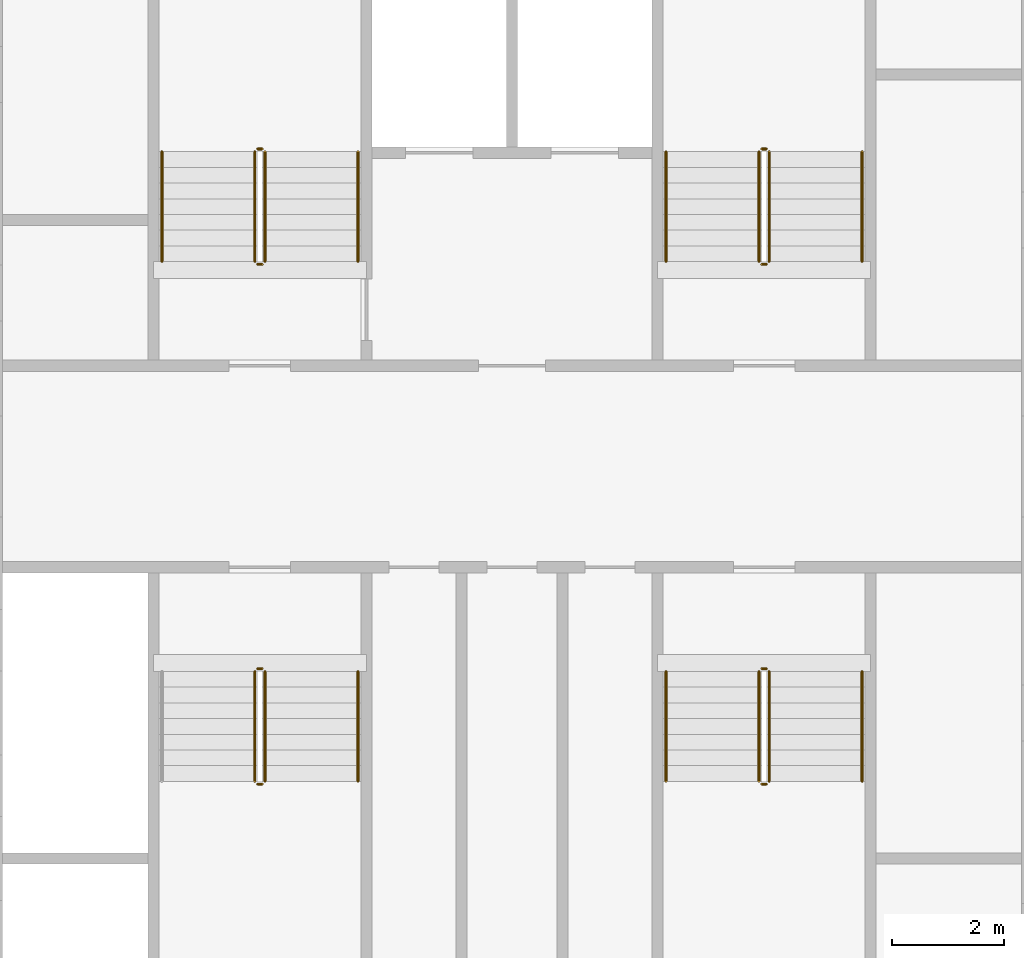
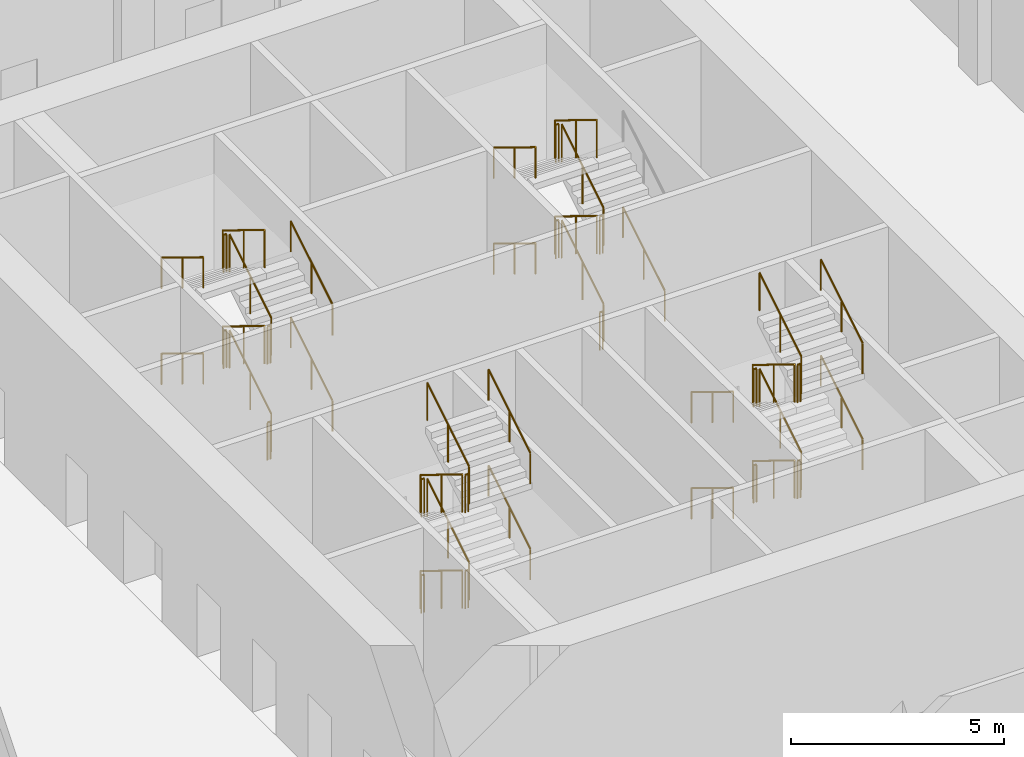
# One storey, part 21 of 23: 45 railings.
"""IFC4 building model written with IfcOpenShell, lengths in metres."""

from ifc_helpers import new_model, si_unit, direction, frame, origin, origin_2d, place, context, subcontext, project, spatial, circle, extrude, material, type_object, element, save


model = new_model("IFC4")

# Units and contexts
model_context = context("Model", 3, precision=1e-05, world=origin(), true_north=direction((0.0, 1.0)))
body_context = subcontext(model_context, "Body", "Model", "MODEL_VIEW")
ifc_project = project(units=[si_unit("LENGTHUNIT", "METRE"), si_unit("AREAUNIT", "SQUARE_METRE"), si_unit("VOLUMEUNIT", "CUBIC_METRE"), si_unit("PLANEANGLEUNIT", "RADIAN"), si_unit("MASSUNIT", "GRAM", prefix="KILO")], contexts=[model_context])

# Site, building, storey
site_placement = place(None, origin())
site = spatial("IfcSite", under=ifc_project, at=site_placement, CompositionType="ELEMENT")
building_placement = place(site_placement, origin())
building = spatial("IfcBuilding", under=site, at=building_placement, Name="Tarsis Ring Headquarters", CompositionType="ELEMENT")
storey_placement = place(building_placement, frame((0.0, 0.0, 14.0)))
storey = spatial("IfcBuildingStorey", under=building, at=storey_placement, Name="L02", CompositionType="ELEMENT", Elevation=14.0)

# Railings
ifc_material = material(Name="Steel S355", Category="steel")
railing_type_1 = type_object("IfcRailingType", Name="Core stair guard 1100", PredefinedType="GUARDRAIL", material=ifc_material)
railing_1_placement = place(storey_placement, frame((-4.409912109375, 3.659912109375, 0.171875)))
element("IfcRailing", 1, at=railing_1_placement, inside=storey, type_object=railing_type_1, Name="L02 ST1 stair guard 1", PredefinedType="GUARDRAIL", context=body_context, shape_type="SweptSolid", body=[
    extrude(circle(Radius=0.02392578125, at=origin_2d()), frame((0.0, 0.0, 1.076171875), z_axis=(0.0, 0.852270028233, 0.523102092307), x_axis=(-1.0, 0.0, 0.0)), (0.0, 0.0, 1.0), 2.300048828125),
    extrude(circle(Radius=0.02099609375, at=origin_2d()), origin(), (0.0, 0.0, 1.0), 1.052001953125),
    extrude(circle(Radius=0.02099609375, at=origin_2d()), frame((0.0, 0.97998046875, 0.6015625)), (0.0, 0.0, 1.0), 1.052001953125),
    extrude(circle(Radius=0.02099609375, at=origin_2d()), frame((0.0, 1.960205078125, 1.203125)), (0.0, 0.0, 1.0), 1.052001953125),
])
railing_2_placement = place(storey_placement, frame((-4.4599609375, 5.669921875, 1.375)))
element("IfcRailing", 2, at=railing_2_placement, inside=storey, type_object=railing_type_1, Name="L02 ST1 stair guard 2", PredefinedType="GUARDRAIL", context=body_context, shape_type="SweptSolid", body=[
    extrude(circle(Radius=0.02392578125, at=origin_2d()), frame((0.0, 0.0, 1.076171875), z_axis=(-1.0, 0.0, 0.0), x_axis=(0.0, -1.0, 0.0)), (0.0, 0.0, 1.0), 0.080078125),
    extrude(circle(Radius=0.02099609375, at=origin_2d()), origin(), (0.0, 0.0, 1.0), 1.052001953125),
    extrude(circle(Radius=0.02099609375, at=origin_2d()), frame((-0.080078125, 0.0, 0.0)), (0.0, 0.0, 1.0), 1.052001953125),
])
railing_3_placement = place(storey_placement, frame((-4.590087890625, 5.6201171875, 1.546875)))
element("IfcRailing", 3, at=railing_3_placement, inside=storey, type_object=railing_type_1, Name="L02 ST1 stair guard 3", PredefinedType="GUARDRAIL", context=body_context, shape_type="SweptSolid", body=[
    extrude(circle(Radius=0.02392578125, at=origin_2d()), frame((0.0, 0.0, 1.076171875), z_axis=(0.0, -0.852270028233, 0.523102092307), x_axis=(1.0, 0.0, 0.0)), (0.0, 0.0, 1.0), 2.300048828125),
    extrude(circle(Radius=0.02099609375, at=origin_2d()), origin(), (0.0, 0.0, 1.0), 1.052001953125),
    extrude(circle(Radius=0.02099609375, at=origin_2d()), frame((0.0, -0.97998046875, 0.6015625)), (0.0, 0.0, 1.0), 1.052001953125),
    extrude(circle(Radius=0.02099609375, at=origin_2d()), frame((0.0, -1.960205078125, 1.203125)), (0.0, 0.0, 1.0), 1.052001953125),
])
railing_4_placement = place(storey_placement, frame((-4.4599609375, 3.610107421875, 2.75)))
element("IfcRailing", 4, at=railing_4_placement, inside=storey, type_object=railing_type_1, Name="L02 ST1 stair guard 4", PredefinedType="GUARDRAIL", context=body_context, shape_type="SweptSolid", body=[
    extrude(circle(Radius=0.02392578125, at=origin_2d()), frame((0.0, 0.0, 1.076171875), z_axis=(-1.0, 0.0, 0.0), x_axis=(0.0, -1.0, 0.0)), (0.0, 0.0, 1.0), 0.080078125),
    extrude(circle(Radius=0.02099609375, at=origin_2d()), origin(), (0.0, 0.0, 1.0), 1.052001953125),
    extrude(circle(Radius=0.02099609375, at=origin_2d()), frame((-0.080078125, 0.0, 0.0)), (0.0, 0.0, 1.0), 1.052001953125),
])
railing_5_placement = place(storey_placement, frame((-4.409912109375, 3.659912109375, 2.921875)))
element("IfcRailing", 5, at=railing_5_placement, inside=storey, type_object=railing_type_1, Name="L02 ST1 stair guard 5", PredefinedType="GUARDRAIL", context=body_context, shape_type="SweptSolid", body=[
    extrude(circle(Radius=0.02392578125, at=origin_2d()), frame((0.0, 0.0, 1.076171875), z_axis=(0.0, 0.852270028233, 0.523102092307), x_axis=(-1.0, 0.0, 0.0)), (0.0, 0.0, 1.0), 2.300048828125),
    extrude(circle(Radius=0.02099609375, at=origin_2d()), origin(), (0.0, 0.0, 1.0), 1.052001953125),
    extrude(circle(Radius=0.02099609375, at=origin_2d()), frame((0.0, 0.97998046875, 0.6015625)), (0.0, 0.0, 1.0), 1.052001953125),
    extrude(circle(Radius=0.02099609375, at=origin_2d()), frame((0.0, 1.960205078125, 1.203125)), (0.0, 0.0, 1.0), 1.052001953125),
])
railing_6_placement = place(storey_placement, frame((-4.4599609375, 5.669921875, 4.125)))
element("IfcRailing", 6, at=railing_6_placement, inside=storey, type_object=railing_type_1, Name="L02 ST1 stair guard 6", PredefinedType="GUARDRAIL", context=body_context, shape_type="SweptSolid", body=[
    extrude(circle(Radius=0.02392578125, at=origin_2d()), frame((0.0, 0.0, 1.076171875), z_axis=(-1.0, 0.0, 0.0), x_axis=(0.0, -1.0, 0.0)), (0.0, 0.0, 1.0), 0.080078125),
    extrude(circle(Radius=0.02099609375, at=origin_2d()), origin(), (0.0, 0.0, 1.0), 1.052001953125),
    extrude(circle(Radius=0.02099609375, at=origin_2d()), frame((-0.080078125, 0.0, 0.0)), (0.0, 0.0, 1.0), 1.052001953125),
])
railing_7_placement = place(storey_placement, frame((-4.590087890625, 5.6201171875, 4.296875)))
element("IfcRailing", 7, at=railing_7_placement, inside=storey, type_object=railing_type_1, Name="L02 ST1 stair guard 7", PredefinedType="GUARDRAIL", context=body_context, shape_type="SweptSolid", body=[
    extrude(circle(Radius=0.02392578125, at=origin_2d()), frame((0.0, 0.0, 1.076171875), z_axis=(0.0, -0.852270028233, 0.523102092307), x_axis=(1.0, 0.0, 0.0)), (0.0, 0.0, 1.0), 2.300048828125),
    extrude(circle(Radius=0.02099609375, at=origin_2d()), origin(), (0.0, 0.0, 1.0), 1.052001953125),
    extrude(circle(Radius=0.02099609375, at=origin_2d()), frame((0.0, -0.97998046875, 0.6015625)), (0.0, 0.0, 1.0), 1.052001953125),
    extrude(circle(Radius=0.02099609375, at=origin_2d()), frame((0.0, -1.960205078125, 1.203125)), (0.0, 0.0, 1.0), 1.052001953125),
])
railing_8_placement = place(storey_placement, frame((-4.4599609375, 3.610107421875, 0.0)))
element("IfcRailing", 8, at=railing_8_placement, inside=storey, type_object=railing_type_1, Name="L02 ST1 stair guard 8", PredefinedType="GUARDRAIL", context=body_context, shape_type="SweptSolid", body=[
    extrude(circle(Radius=0.02392578125, at=origin_2d()), frame((0.0, 0.0, 1.076171875), z_axis=(-1.0, 0.0, 0.0), x_axis=(0.0, -1.0, 0.0)), (0.0, 0.0, 1.0), 0.080078125),
    extrude(circle(Radius=0.02099609375, at=origin_2d()), origin(), (0.0, 0.0, 1.0), 1.052001953125),
    extrude(circle(Radius=0.02099609375, at=origin_2d()), frame((-0.080078125, 0.0, 0.0)), (0.0, 0.0, 1.0), 1.052001953125),
])
railing_9_placement = place(storey_placement, frame((4.590087890625, 3.659912109375, 0.171875)))
element("IfcRailing", 9, at=railing_9_placement, inside=storey, type_object=railing_type_1, Name="L02 ST2 stair guard 1", PredefinedType="GUARDRAIL", context=body_context, shape_type="SweptSolid", body=[
    extrude(circle(Radius=0.02392578125, at=origin_2d()), frame((0.0, 0.0, 1.076171875), z_axis=(0.0, 0.852270028233, 0.523102092307), x_axis=(-1.0, 0.0, 0.0)), (0.0, 0.0, 1.0), 2.300048828125),
    extrude(circle(Radius=0.02099609375, at=origin_2d()), origin(), (0.0, 0.0, 1.0), 1.052001953125),
    extrude(circle(Radius=0.02099609375, at=origin_2d()), frame((0.0, 0.97998046875, 0.6015625)), (0.0, 0.0, 1.0), 1.052001953125),
    extrude(circle(Radius=0.02099609375, at=origin_2d()), frame((0.0, 1.960205078125, 1.203125)), (0.0, 0.0, 1.0), 1.052001953125),
])
railing_10_placement = place(storey_placement, frame((4.5400390625, 5.669921875, 1.375)))
element("IfcRailing", 10, at=railing_10_placement, inside=storey, type_object=railing_type_1, Name="L02 ST2 stair guard 2", PredefinedType="GUARDRAIL", context=body_context, shape_type="SweptSolid", body=[
    extrude(circle(Radius=0.02392578125, at=origin_2d()), frame((0.0, 0.0, 1.076171875), z_axis=(-1.0, 0.0, 0.0), x_axis=(0.0, -1.0, 0.0)), (0.0, 0.0, 1.0), 0.080078125),
    extrude(circle(Radius=0.02099609375, at=origin_2d()), origin(), (0.0, 0.0, 1.0), 1.052001953125),
    extrude(circle(Radius=0.02099609375, at=origin_2d()), frame((-0.080078125, 0.0, 0.0)), (0.0, 0.0, 1.0), 1.052001953125),
])
railing_11_placement = place(storey_placement, frame((4.409912109375, 5.6201171875, 1.546875)))
element("IfcRailing", 11, at=railing_11_placement, inside=storey, type_object=railing_type_1, Name="L02 ST2 stair guard 3", PredefinedType="GUARDRAIL", context=body_context, shape_type="SweptSolid", body=[
    extrude(circle(Radius=0.02392578125, at=origin_2d()), frame((0.0, 0.0, 1.076171875), z_axis=(0.0, -0.852270028233, 0.523102092307), x_axis=(1.0, 0.0, 0.0)), (0.0, 0.0, 1.0), 2.300048828125),
    extrude(circle(Radius=0.02099609375, at=origin_2d()), origin(), (0.0, 0.0, 1.0), 1.052001953125),
    extrude(circle(Radius=0.02099609375, at=origin_2d()), frame((0.0, -0.97998046875, 0.6015625)), (0.0, 0.0, 1.0), 1.052001953125),
    extrude(circle(Radius=0.02099609375, at=origin_2d()), frame((0.0, -1.960205078125, 1.203125)), (0.0, 0.0, 1.0), 1.052001953125),
])
railing_12_placement = place(storey_placement, frame((4.5400390625, 3.610107421875, 2.75)))
element("IfcRailing", 12, at=railing_12_placement, inside=storey, type_object=railing_type_1, Name="L02 ST2 stair guard 4", PredefinedType="GUARDRAIL", context=body_context, shape_type="SweptSolid", body=[
    extrude(circle(Radius=0.02392578125, at=origin_2d()), frame((0.0, 0.0, 1.076171875), z_axis=(-1.0, 0.0, 0.0), x_axis=(0.0, -1.0, 0.0)), (0.0, 0.0, 1.0), 0.080078125),
    extrude(circle(Radius=0.02099609375, at=origin_2d()), origin(), (0.0, 0.0, 1.0), 1.052001953125),
    extrude(circle(Radius=0.02099609375, at=origin_2d()), frame((-0.080078125, 0.0, 0.0)), (0.0, 0.0, 1.0), 1.052001953125),
])
railing_13_placement = place(storey_placement, frame((4.590087890625, 3.659912109375, 2.921875)))
element("IfcRailing", 13, at=railing_13_placement, inside=storey, type_object=railing_type_1, Name="L02 ST2 stair guard 5", PredefinedType="GUARDRAIL", context=body_context, shape_type="SweptSolid", body=[
    extrude(circle(Radius=0.02392578125, at=origin_2d()), frame((0.0, 0.0, 1.076171875), z_axis=(0.0, 0.852270028233, 0.523102092307), x_axis=(-1.0, 0.0, 0.0)), (0.0, 0.0, 1.0), 2.300048828125),
    extrude(circle(Radius=0.02099609375, at=origin_2d()), origin(), (0.0, 0.0, 1.0), 1.052001953125),
    extrude(circle(Radius=0.02099609375, at=origin_2d()), frame((0.0, 0.97998046875, 0.6015625)), (0.0, 0.0, 1.0), 1.052001953125),
    extrude(circle(Radius=0.02099609375, at=origin_2d()), frame((0.0, 1.960205078125, 1.203125)), (0.0, 0.0, 1.0), 1.052001953125),
])
railing_14_placement = place(storey_placement, frame((4.5400390625, 5.669921875, 4.125)))
element("IfcRailing", 14, at=railing_14_placement, inside=storey, type_object=railing_type_1, Name="L02 ST2 stair guard 6", PredefinedType="GUARDRAIL", context=body_context, shape_type="SweptSolid", body=[
    extrude(circle(Radius=0.02392578125, at=origin_2d()), frame((0.0, 0.0, 1.076171875), z_axis=(-1.0, 0.0, 0.0), x_axis=(0.0, -1.0, 0.0)), (0.0, 0.0, 1.0), 0.080078125),
    extrude(circle(Radius=0.02099609375, at=origin_2d()), origin(), (0.0, 0.0, 1.0), 1.052001953125),
    extrude(circle(Radius=0.02099609375, at=origin_2d()), frame((-0.080078125, 0.0, 0.0)), (0.0, 0.0, 1.0), 1.052001953125),
])
railing_15_placement = place(storey_placement, frame((4.409912109375, 5.6201171875, 4.296875)))
element("IfcRailing", 15, at=railing_15_placement, inside=storey, type_object=railing_type_1, Name="L02 ST2 stair guard 7", PredefinedType="GUARDRAIL", context=body_context, shape_type="SweptSolid", body=[
    extrude(circle(Radius=0.02392578125, at=origin_2d()), frame((0.0, 0.0, 1.076171875), z_axis=(0.0, -0.852270028233, 0.523102092307), x_axis=(1.0, 0.0, 0.0)), (0.0, 0.0, 1.0), 2.300048828125),
    extrude(circle(Radius=0.02099609375, at=origin_2d()), origin(), (0.0, 0.0, 1.0), 1.052001953125),
    extrude(circle(Radius=0.02099609375, at=origin_2d()), frame((0.0, -0.97998046875, 0.6015625)), (0.0, 0.0, 1.0), 1.052001953125),
    extrude(circle(Radius=0.02099609375, at=origin_2d()), frame((0.0, -1.960205078125, 1.203125)), (0.0, 0.0, 1.0), 1.052001953125),
])
railing_16_placement = place(storey_placement, frame((4.5400390625, 3.610107421875, 0.0)))
element("IfcRailing", 16, at=railing_16_placement, inside=storey, type_object=railing_type_1, Name="L02 ST2 stair guard 8", PredefinedType="GUARDRAIL", context=body_context, shape_type="SweptSolid", body=[
    extrude(circle(Radius=0.02392578125, at=origin_2d()), frame((0.0, 0.0, 1.076171875), z_axis=(-1.0, 0.0, 0.0), x_axis=(0.0, -1.0, 0.0)), (0.0, 0.0, 1.0), 0.080078125),
    extrude(circle(Radius=0.02099609375, at=origin_2d()), origin(), (0.0, 0.0, 1.0), 1.052001953125),
    extrude(circle(Radius=0.02099609375, at=origin_2d()), frame((-0.080078125, 0.0, 0.0)), (0.0, 0.0, 1.0), 1.052001953125),
])
railing_17_placement = place(storey_placement, frame((-4.590087890625, -3.659912109375, 0.171875)))
element("IfcRailing", 17, at=railing_17_placement, inside=storey, type_object=railing_type_1, Name="L02 ST3 stair guard 1", PredefinedType="GUARDRAIL", context=body_context, shape_type="SweptSolid", body=[
    extrude(circle(Radius=0.02392578125, at=origin_2d()), frame((0.0, 0.0, 1.076171875), z_axis=(0.0, -0.852270028233, 0.523102092307), x_axis=(1.0, 0.0, 0.0)), (0.0, 0.0, 1.0), 2.300048828125),
    extrude(circle(Radius=0.02099609375, at=origin_2d()), origin(), (0.0, 0.0, 1.0), 1.052001953125),
    extrude(circle(Radius=0.02099609375, at=origin_2d()), frame((0.0, -0.97998046875, 0.6015625)), (0.0, 0.0, 1.0), 1.052001953125),
    extrude(circle(Radius=0.02099609375, at=origin_2d()), frame((0.0, -1.960205078125, 1.203125)), (0.0, 0.0, 1.0), 1.052001953125),
])
railing_18_placement = place(storey_placement, frame((-4.5400390625, -5.669921875, 1.375)))
element("IfcRailing", 18, at=railing_18_placement, inside=storey, type_object=railing_type_1, Name="L02 ST3 stair guard 2", PredefinedType="GUARDRAIL", context=body_context, shape_type="SweptSolid", body=[
    extrude(circle(Radius=0.02392578125, at=origin_2d()), frame((0.0, 0.0, 1.076171875), z_axis=(1.0, 0.0, 0.0), x_axis=(0.0, 1.0, 0.0)), (0.0, 0.0, 1.0), 0.080078125),
    extrude(circle(Radius=0.02099609375, at=origin_2d()), origin(), (0.0, 0.0, 1.0), 1.052001953125),
    extrude(circle(Radius=0.02099609375, at=origin_2d()), frame((0.080078125, 0.0, 0.0)), (0.0, 0.0, 1.0), 1.052001953125),
])
railing_19_placement = place(storey_placement, frame((-4.409912109375, -5.6201171875, 1.546875)))
element("IfcRailing", 19, at=railing_19_placement, inside=storey, type_object=railing_type_1, Name="L02 ST3 stair guard 3", PredefinedType="GUARDRAIL", context=body_context, shape_type="SweptSolid", body=[
    extrude(circle(Radius=0.02392578125, at=origin_2d()), frame((0.0, 0.0, 1.076171875), z_axis=(0.0, 0.852270028233, 0.523102092307), x_axis=(-1.0, 0.0, 0.0)), (0.0, 0.0, 1.0), 2.300048828125),
    extrude(circle(Radius=0.02099609375, at=origin_2d()), origin(), (0.0, 0.0, 1.0), 1.052001953125),
    extrude(circle(Radius=0.02099609375, at=origin_2d()), frame((0.0, 0.97998046875, 0.6015625)), (0.0, 0.0, 1.0), 1.052001953125),
    extrude(circle(Radius=0.02099609375, at=origin_2d()), frame((0.0, 1.960205078125, 1.203125)), (0.0, 0.0, 1.0), 1.052001953125),
])
railing_20_placement = place(storey_placement, frame((-4.5400390625, -3.610107421875, 2.75)))
element("IfcRailing", 20, at=railing_20_placement, inside=storey, type_object=railing_type_1, Name="L02 ST3 stair guard 4", PredefinedType="GUARDRAIL", context=body_context, shape_type="SweptSolid", body=[
    extrude(circle(Radius=0.02392578125, at=origin_2d()), frame((0.0, 0.0, 1.076171875), z_axis=(1.0, 0.0, 0.0), x_axis=(0.0, 1.0, 0.0)), (0.0, 0.0, 1.0), 0.080078125),
    extrude(circle(Radius=0.02099609375, at=origin_2d()), origin(), (0.0, 0.0, 1.0), 1.052001953125),
    extrude(circle(Radius=0.02099609375, at=origin_2d()), frame((0.080078125, 0.0, 0.0)), (0.0, 0.0, 1.0), 1.052001953125),
])
railing_21_placement = place(storey_placement, frame((-4.590087890625, -3.659912109375, 2.921875)))
element("IfcRailing", 21, at=railing_21_placement, inside=storey, type_object=railing_type_1, Name="L02 ST3 stair guard 5", PredefinedType="GUARDRAIL", context=body_context, shape_type="SweptSolid", body=[
    extrude(circle(Radius=0.02392578125, at=origin_2d()), frame((0.0, 0.0, 1.076171875), z_axis=(0.0, -0.852270028233, 0.523102092307), x_axis=(1.0, 0.0, 0.0)), (0.0, 0.0, 1.0), 2.300048828125),
    extrude(circle(Radius=0.02099609375, at=origin_2d()), origin(), (0.0, 0.0, 1.0), 1.052001953125),
    extrude(circle(Radius=0.02099609375, at=origin_2d()), frame((0.0, -0.97998046875, 0.6015625)), (0.0, 0.0, 1.0), 1.052001953125),
    extrude(circle(Radius=0.02099609375, at=origin_2d()), frame((0.0, -1.960205078125, 1.203125)), (0.0, 0.0, 1.0), 1.052001953125),
])
railing_22_placement = place(storey_placement, frame((-4.5400390625, -5.669921875, 4.125)))
element("IfcRailing", 22, at=railing_22_placement, inside=storey, type_object=railing_type_1, Name="L02 ST3 stair guard 6", PredefinedType="GUARDRAIL", context=body_context, shape_type="SweptSolid", body=[
    extrude(circle(Radius=0.02392578125, at=origin_2d()), frame((0.0, 0.0, 1.076171875), z_axis=(1.0, 0.0, 0.0), x_axis=(0.0, 1.0, 0.0)), (0.0, 0.0, 1.0), 0.080078125),
    extrude(circle(Radius=0.02099609375, at=origin_2d()), origin(), (0.0, 0.0, 1.0), 1.052001953125),
    extrude(circle(Radius=0.02099609375, at=origin_2d()), frame((0.080078125, 0.0, 0.0)), (0.0, 0.0, 1.0), 1.052001953125),
])
railing_23_placement = place(storey_placement, frame((-4.409912109375, -5.6201171875, 4.296875)))
element("IfcRailing", 23, at=railing_23_placement, inside=storey, type_object=railing_type_1, Name="L02 ST3 stair guard 7", PredefinedType="GUARDRAIL", context=body_context, shape_type="SweptSolid", body=[
    extrude(circle(Radius=0.02392578125, at=origin_2d()), frame((0.0, 0.0, 1.076171875), z_axis=(0.0, 0.852270028233, 0.523102092307), x_axis=(-1.0, 0.0, 0.0)), (0.0, 0.0, 1.0), 2.300048828125),
    extrude(circle(Radius=0.02099609375, at=origin_2d()), origin(), (0.0, 0.0, 1.0), 1.052001953125),
    extrude(circle(Radius=0.02099609375, at=origin_2d()), frame((0.0, 0.97998046875, 0.6015625)), (0.0, 0.0, 1.0), 1.052001953125),
    extrude(circle(Radius=0.02099609375, at=origin_2d()), frame((0.0, 1.960205078125, 1.203125)), (0.0, 0.0, 1.0), 1.052001953125),
])
railing_24_placement = place(storey_placement, frame((-4.5400390625, -3.610107421875, 0.0)))
element("IfcRailing", 24, at=railing_24_placement, inside=storey, type_object=railing_type_1, Name="L02 ST3 stair guard 8", PredefinedType="GUARDRAIL", context=body_context, shape_type="SweptSolid", body=[
    extrude(circle(Radius=0.02392578125, at=origin_2d()), frame((0.0, 0.0, 1.076171875), z_axis=(1.0, 0.0, 0.0), x_axis=(0.0, 1.0, 0.0)), (0.0, 0.0, 1.0), 0.080078125),
    extrude(circle(Radius=0.02099609375, at=origin_2d()), origin(), (0.0, 0.0, 1.0), 1.052001953125),
    extrude(circle(Radius=0.02099609375, at=origin_2d()), frame((0.080078125, 0.0, 0.0)), (0.0, 0.0, 1.0), 1.052001953125),
])
railing_25_placement = place(storey_placement, frame((4.409912109375, -3.659912109375, 0.171875)))
element("IfcRailing", 25, at=railing_25_placement, inside=storey, type_object=railing_type_1, Name="L02 ST4 stair guard 1", PredefinedType="GUARDRAIL", context=body_context, shape_type="SweptSolid", body=[
    extrude(circle(Radius=0.02392578125, at=origin_2d()), frame((0.0, 0.0, 1.076171875), z_axis=(0.0, -0.852270028233, 0.523102092307), x_axis=(1.0, 0.0, 0.0)), (0.0, 0.0, 1.0), 2.300048828125),
    extrude(circle(Radius=0.02099609375, at=origin_2d()), origin(), (0.0, 0.0, 1.0), 1.052001953125),
    extrude(circle(Radius=0.02099609375, at=origin_2d()), frame((0.0, -0.97998046875, 0.6015625)), (0.0, 0.0, 1.0), 1.052001953125),
    extrude(circle(Radius=0.02099609375, at=origin_2d()), frame((0.0, -1.960205078125, 1.203125)), (0.0, 0.0, 1.0), 1.052001953125),
])
railing_26_placement = place(storey_placement, frame((4.4599609375, -5.669921875, 1.375)))
element("IfcRailing", 26, at=railing_26_placement, inside=storey, type_object=railing_type_1, Name="L02 ST4 stair guard 2", PredefinedType="GUARDRAIL", context=body_context, shape_type="SweptSolid", body=[
    extrude(circle(Radius=0.02392578125, at=origin_2d()), frame((0.0, 0.0, 1.076171875), z_axis=(1.0, 0.0, 0.0), x_axis=(0.0, 1.0, 0.0)), (0.0, 0.0, 1.0), 0.080078125),
    extrude(circle(Radius=0.02099609375, at=origin_2d()), origin(), (0.0, 0.0, 1.0), 1.052001953125),
    extrude(circle(Radius=0.02099609375, at=origin_2d()), frame((0.080078125, 0.0, 0.0)), (0.0, 0.0, 1.0), 1.052001953125),
])
railing_27_placement = place(storey_placement, frame((4.590087890625, -5.6201171875, 1.546875)))
element("IfcRailing", 27, at=railing_27_placement, inside=storey, type_object=railing_type_1, Name="L02 ST4 stair guard 3", PredefinedType="GUARDRAIL", context=body_context, shape_type="SweptSolid", body=[
    extrude(circle(Radius=0.02392578125, at=origin_2d()), frame((0.0, 0.0, 1.076171875), z_axis=(0.0, 0.852270028233, 0.523102092307), x_axis=(-1.0, 0.0, 0.0)), (0.0, 0.0, 1.0), 2.300048828125),
    extrude(circle(Radius=0.02099609375, at=origin_2d()), origin(), (0.0, 0.0, 1.0), 1.052001953125),
    extrude(circle(Radius=0.02099609375, at=origin_2d()), frame((0.0, 0.97998046875, 0.6015625)), (0.0, 0.0, 1.0), 1.052001953125),
    extrude(circle(Radius=0.02099609375, at=origin_2d()), frame((0.0, 1.960205078125, 1.203125)), (0.0, 0.0, 1.0), 1.052001953125),
])
railing_28_placement = place(storey_placement, frame((4.4599609375, -3.610107421875, 2.75)))
element("IfcRailing", 28, at=railing_28_placement, inside=storey, type_object=railing_type_1, Name="L02 ST4 stair guard 4", PredefinedType="GUARDRAIL", context=body_context, shape_type="SweptSolid", body=[
    extrude(circle(Radius=0.02392578125, at=origin_2d()), frame((0.0, 0.0, 1.076171875), z_axis=(1.0, 0.0, 0.0), x_axis=(0.0, 1.0, 0.0)), (0.0, 0.0, 1.0), 0.080078125),
    extrude(circle(Radius=0.02099609375, at=origin_2d()), origin(), (0.0, 0.0, 1.0), 1.052001953125),
    extrude(circle(Radius=0.02099609375, at=origin_2d()), frame((0.080078125, 0.0, 0.0)), (0.0, 0.0, 1.0), 1.052001953125),
])
railing_29_placement = place(storey_placement, frame((4.409912109375, -3.659912109375, 2.921875)))
element("IfcRailing", 29, at=railing_29_placement, inside=storey, type_object=railing_type_1, Name="L02 ST4 stair guard 5", PredefinedType="GUARDRAIL", context=body_context, shape_type="SweptSolid", body=[
    extrude(circle(Radius=0.02392578125, at=origin_2d()), frame((0.0, 0.0, 1.076171875), z_axis=(0.0, -0.852270028233, 0.523102092307), x_axis=(1.0, 0.0, 0.0)), (0.0, 0.0, 1.0), 2.300048828125),
    extrude(circle(Radius=0.02099609375, at=origin_2d()), origin(), (0.0, 0.0, 1.0), 1.052001953125),
    extrude(circle(Radius=0.02099609375, at=origin_2d()), frame((0.0, -0.97998046875, 0.6015625)), (0.0, 0.0, 1.0), 1.052001953125),
    extrude(circle(Radius=0.02099609375, at=origin_2d()), frame((0.0, -1.960205078125, 1.203125)), (0.0, 0.0, 1.0), 1.052001953125),
])
railing_30_placement = place(storey_placement, frame((4.4599609375, -5.669921875, 4.125)))
element("IfcRailing", 30, at=railing_30_placement, inside=storey, type_object=railing_type_1, Name="L02 ST4 stair guard 6", PredefinedType="GUARDRAIL", context=body_context, shape_type="SweptSolid", body=[
    extrude(circle(Radius=0.02392578125, at=origin_2d()), frame((0.0, 0.0, 1.076171875), z_axis=(1.0, 0.0, 0.0), x_axis=(0.0, 1.0, 0.0)), (0.0, 0.0, 1.0), 0.080078125),
    extrude(circle(Radius=0.02099609375, at=origin_2d()), origin(), (0.0, 0.0, 1.0), 1.052001953125),
    extrude(circle(Radius=0.02099609375, at=origin_2d()), frame((0.080078125, 0.0, 0.0)), (0.0, 0.0, 1.0), 1.052001953125),
])
railing_31_placement = place(storey_placement, frame((4.590087890625, -5.6201171875, 4.296875)))
element("IfcRailing", 31, at=railing_31_placement, inside=storey, type_object=railing_type_1, Name="L02 ST4 stair guard 7", PredefinedType="GUARDRAIL", context=body_context, shape_type="SweptSolid", body=[
    extrude(circle(Radius=0.02392578125, at=origin_2d()), frame((0.0, 0.0, 1.076171875), z_axis=(0.0, 0.852270028233, 0.523102092307), x_axis=(-1.0, 0.0, 0.0)), (0.0, 0.0, 1.0), 2.300048828125),
    extrude(circle(Radius=0.02099609375, at=origin_2d()), origin(), (0.0, 0.0, 1.0), 1.052001953125),
    extrude(circle(Radius=0.02099609375, at=origin_2d()), frame((0.0, 0.97998046875, 0.6015625)), (0.0, 0.0, 1.0), 1.052001953125),
    extrude(circle(Radius=0.02099609375, at=origin_2d()), frame((0.0, 1.960205078125, 1.203125)), (0.0, 0.0, 1.0), 1.052001953125),
])
railing_32_placement = place(storey_placement, frame((4.4599609375, -3.610107421875, 0.0)))
element("IfcRailing", 32, at=railing_32_placement, inside=storey, type_object=railing_type_1, Name="L02 ST4 stair guard 8", PredefinedType="GUARDRAIL", context=body_context, shape_type="SweptSolid", body=[
    extrude(circle(Radius=0.02392578125, at=origin_2d()), frame((0.0, 0.0, 1.076171875), z_axis=(1.0, 0.0, 0.0), x_axis=(0.0, 1.0, 0.0)), (0.0, 0.0, 1.0), 0.080078125),
    extrude(circle(Radius=0.02099609375, at=origin_2d()), origin(), (0.0, 0.0, 1.0), 1.052001953125),
    extrude(circle(Radius=0.02099609375, at=origin_2d()), frame((0.080078125, 0.0, 0.0)), (0.0, 0.0, 1.0), 1.052001953125),
])
railing_type_2 = type_object("IfcRailingType", Name="Core stair handrail 900", PredefinedType="HANDRAIL", material=ifc_material)
railing_33_placement = place(storey_placement, frame((-2.75, 3.659912109375, 0.171875)))
element("IfcRailing", 33, at=railing_33_placement, inside=storey, type_object=railing_type_2, Name="L02 ST1 stair handrail 1", PredefinedType="HANDRAIL", context=body_context, shape_type="SweptSolid", body=[
    extrude(circle(Radius=0.02392578125, at=origin_2d()), frame((0.0, 0.0, 0.8759765625), z_axis=(0.0, 0.852270028233, 0.523102092307), x_axis=(-1.0, 0.0, 0.0)), (0.0, 0.0, 1.0), 2.300048828125),
    extrude(circle(Radius=0.02099609375, at=origin_2d()), origin(), (0.0, 0.0, 1.0), 0.851806640625),
    extrude(circle(Radius=0.02099609375, at=origin_2d()), frame((0.0, 0.97998046875, 0.6015625)), (0.0, 0.0, 1.0), 0.851806640625),
    extrude(circle(Radius=0.02099609375, at=origin_2d()), frame((0.0, 1.960205078125, 1.203125)), (0.0, 0.0, 1.0), 0.851806640625),
])
railing_34_placement = place(storey_placement, frame((-6.25, 5.6201171875, 1.546875)))
element("IfcRailing", 34, at=railing_34_placement, inside=storey, type_object=railing_type_2, Name="L02 ST1 stair handrail 2", PredefinedType="HANDRAIL", context=body_context, shape_type="SweptSolid", body=[
    extrude(circle(Radius=0.02392578125, at=origin_2d()), frame((0.0, 0.0, 0.8759765625), z_axis=(0.0, -0.852270028233, 0.523102092307), x_axis=(1.0, 0.0, 0.0)), (0.0, 0.0, 1.0), 2.300048828125),
    extrude(circle(Radius=0.02099609375, at=origin_2d()), origin(), (0.0, 0.0, 1.0), 0.851806640625),
    extrude(circle(Radius=0.02099609375, at=origin_2d()), frame((0.0, -0.97998046875, 0.6015625)), (0.0, 0.0, 1.0), 0.851806640625),
    extrude(circle(Radius=0.02099609375, at=origin_2d()), frame((0.0, -1.960205078125, 1.203125)), (0.0, 0.0, 1.0), 0.851806640625),
])
railing_35_placement = place(storey_placement, frame((-2.75, 3.659912109375, 2.921875)))
element("IfcRailing", 35, at=railing_35_placement, inside=storey, type_object=railing_type_2, Name="L02 ST1 stair handrail 3", PredefinedType="HANDRAIL", context=body_context, shape_type="SweptSolid", body=[
    extrude(circle(Radius=0.02392578125, at=origin_2d()), frame((0.0, 0.0, 0.8759765625), z_axis=(0.0, 0.852270028233, 0.523102092307), x_axis=(-1.0, 0.0, 0.0)), (0.0, 0.0, 1.0), 2.300048828125),
    extrude(circle(Radius=0.02099609375, at=origin_2d()), origin(), (0.0, 0.0, 1.0), 0.851806640625),
    extrude(circle(Radius=0.02099609375, at=origin_2d()), frame((0.0, 0.97998046875, 0.6015625)), (0.0, 0.0, 1.0), 0.851806640625),
    extrude(circle(Radius=0.02099609375, at=origin_2d()), frame((0.0, 1.960205078125, 1.203125)), (0.0, 0.0, 1.0), 0.851806640625),
])
railing_36_placement = place(storey_placement, frame((-6.25, 5.6201171875, 4.296875)))
element("IfcRailing", 36, at=railing_36_placement, inside=storey, type_object=railing_type_2, Name="L02 ST1 stair handrail 4", PredefinedType="HANDRAIL", context=body_context, shape_type="SweptSolid", body=[
    extrude(circle(Radius=0.02392578125, at=origin_2d()), frame((0.0, 0.0, 0.8759765625), z_axis=(0.0, -0.852270028233, 0.523102092307), x_axis=(1.0, 0.0, 0.0)), (0.0, 0.0, 1.0), 2.300048828125),
    extrude(circle(Radius=0.02099609375, at=origin_2d()), origin(), (0.0, 0.0, 1.0), 0.851806640625),
    extrude(circle(Radius=0.02099609375, at=origin_2d()), frame((0.0, -0.97998046875, 0.6015625)), (0.0, 0.0, 1.0), 0.851806640625),
    extrude(circle(Radius=0.02099609375, at=origin_2d()), frame((0.0, -1.960205078125, 1.203125)), (0.0, 0.0, 1.0), 0.851806640625),
])
railing_37_placement = place(storey_placement, frame((6.25, 3.659912109375, 0.171875)))
element("IfcRailing", 37, at=railing_37_placement, inside=storey, type_object=railing_type_2, Name="L02 ST2 stair handrail 1", PredefinedType="HANDRAIL", context=body_context, shape_type="SweptSolid", body=[
    extrude(circle(Radius=0.02392578125, at=origin_2d()), frame((0.0, 0.0, 0.8759765625), z_axis=(0.0, 0.852270028233, 0.523102092307), x_axis=(-1.0, 0.0, 0.0)), (0.0, 0.0, 1.0), 2.300048828125),
    extrude(circle(Radius=0.02099609375, at=origin_2d()), origin(), (0.0, 0.0, 1.0), 0.851806640625),
    extrude(circle(Radius=0.02099609375, at=origin_2d()), frame((0.0, 0.97998046875, 0.6015625)), (0.0, 0.0, 1.0), 0.851806640625),
    extrude(circle(Radius=0.02099609375, at=origin_2d()), frame((0.0, 1.960205078125, 1.203125)), (0.0, 0.0, 1.0), 0.851806640625),
])
for number, where, name in (
    (38, (2.75, 5.6201171875, 1.546875), "L02 ST2 stair handrail 2"),
    (39, (2.75, 5.6201171875, 4.296875), "L02 ST2 stair handrail 4"),
):
    element("IfcRailing", number, at=place(storey_placement, frame(where)), inside=storey, type_object=railing_type_2, Name=name, PredefinedType="HANDRAIL", context=body_context, shape_type="SweptSolid", body=[
        extrude(circle(Radius=0.02392578125, at=origin_2d()), frame((0.0, 0.0, 0.8759765625), z_axis=(0.0, -0.852270028233, 0.523102092307), x_axis=(1.0, 0.0, 0.0)), (0.0, 0.0, 1.0), 2.300048828125),
        extrude(circle(Radius=0.02099609375, at=origin_2d()), origin(), (0.0, 0.0, 1.0), 0.851806640625),
        extrude(circle(Radius=0.02099609375, at=origin_2d()), frame((0.0, -0.97998046875, 0.6015625)), (0.0, 0.0, 1.0), 0.851806640625),
        extrude(circle(Radius=0.02099609375, at=origin_2d()), frame((0.0, -1.960205078125, 1.203125)), (0.0, 0.0, 1.0), 0.851806640625),
    ])
for number, where, name in (
    (40, (-2.75, -5.6201171875, 1.546875), "L02 ST3 stair handrail 2"),
    (41, (-2.75, -5.6201171875, 4.296875), "L02 ST3 stair handrail 4"),
):
    element("IfcRailing", number, at=place(storey_placement, frame(where)), inside=storey, type_object=railing_type_2, Name=name, PredefinedType="HANDRAIL", context=body_context, shape_type="SweptSolid", body=[
        extrude(circle(Radius=0.02392578125, at=origin_2d()), frame((0.0, 0.0, 0.8759765625), z_axis=(0.0, 0.852270028233, 0.523102092307), x_axis=(-1.0, 0.0, 0.0)), (0.0, 0.0, 1.0), 2.300048828125),
        extrude(circle(Radius=0.02099609375, at=origin_2d()), origin(), (0.0, 0.0, 1.0), 0.851806640625),
        extrude(circle(Radius=0.02099609375, at=origin_2d()), frame((0.0, 0.97998046875, 0.6015625)), (0.0, 0.0, 1.0), 0.851806640625),
        extrude(circle(Radius=0.02099609375, at=origin_2d()), frame((0.0, 1.960205078125, 1.203125)), (0.0, 0.0, 1.0), 0.851806640625),
    ])
railing_38_placement = place(storey_placement, frame((2.75, -3.659912109375, 0.171875)))
element("IfcRailing", 42, at=railing_38_placement, inside=storey, type_object=railing_type_2, Name="L02 ST4 stair handrail 1", PredefinedType="HANDRAIL", context=body_context, shape_type="SweptSolid", body=[
    extrude(circle(Radius=0.02392578125, at=origin_2d()), frame((0.0, 0.0, 0.8759765625), z_axis=(0.0, -0.852270028233, 0.523102092307), x_axis=(1.0, 0.0, 0.0)), (0.0, 0.0, 1.0), 2.300048828125),
    extrude(circle(Radius=0.02099609375, at=origin_2d()), origin(), (0.0, 0.0, 1.0), 0.851806640625),
    extrude(circle(Radius=0.02099609375, at=origin_2d()), frame((0.0, -0.97998046875, 0.6015625)), (0.0, 0.0, 1.0), 0.851806640625),
    extrude(circle(Radius=0.02099609375, at=origin_2d()), frame((0.0, -1.960205078125, 1.203125)), (0.0, 0.0, 1.0), 0.851806640625),
])
railing_39_placement = place(storey_placement, frame((6.25, -5.6201171875, 1.546875)))
element("IfcRailing", 43, at=railing_39_placement, inside=storey, type_object=railing_type_2, Name="L02 ST4 stair handrail 2", PredefinedType="HANDRAIL", context=body_context, shape_type="SweptSolid", body=[
    extrude(circle(Radius=0.02392578125, at=origin_2d()), frame((0.0, 0.0, 0.8759765625), z_axis=(0.0, 0.852270028233, 0.523102092307), x_axis=(-1.0, 0.0, 0.0)), (0.0, 0.0, 1.0), 2.300048828125),
    extrude(circle(Radius=0.02099609375, at=origin_2d()), origin(), (0.0, 0.0, 1.0), 0.851806640625),
    extrude(circle(Radius=0.02099609375, at=origin_2d()), frame((0.0, 0.97998046875, 0.6015625)), (0.0, 0.0, 1.0), 0.851806640625),
    extrude(circle(Radius=0.02099609375, at=origin_2d()), frame((0.0, 1.960205078125, 1.203125)), (0.0, 0.0, 1.0), 0.851806640625),
])
railing_40_placement = place(storey_placement, frame((2.75, -3.659912109375, 2.921875)))
element("IfcRailing", 44, at=railing_40_placement, inside=storey, type_object=railing_type_2, Name="L02 ST4 stair handrail 3", PredefinedType="HANDRAIL", context=body_context, shape_type="SweptSolid", body=[
    extrude(circle(Radius=0.02392578125, at=origin_2d()), frame((0.0, 0.0, 0.8759765625), z_axis=(0.0, -0.852270028233, 0.523102092307), x_axis=(1.0, 0.0, 0.0)), (0.0, 0.0, 1.0), 2.300048828125),
    extrude(circle(Radius=0.02099609375, at=origin_2d()), origin(), (0.0, 0.0, 1.0), 0.851806640625),
    extrude(circle(Radius=0.02099609375, at=origin_2d()), frame((0.0, -0.97998046875, 0.6015625)), (0.0, 0.0, 1.0), 0.851806640625),
    extrude(circle(Radius=0.02099609375, at=origin_2d()), frame((0.0, -1.960205078125, 1.203125)), (0.0, 0.0, 1.0), 0.851806640625),
])
railing_41_placement = place(storey_placement, frame((6.25, -5.6201171875, 4.296875)))
element("IfcRailing", 45, at=railing_41_placement, inside=storey, type_object=railing_type_2, Name="L02 ST4 stair handrail 4", PredefinedType="HANDRAIL", context=body_context, shape_type="SweptSolid", body=[
    extrude(circle(Radius=0.02392578125, at=origin_2d()), frame((0.0, 0.0, 0.8759765625), z_axis=(0.0, 0.852270028233, 0.523102092307), x_axis=(-1.0, 0.0, 0.0)), (0.0, 0.0, 1.0), 2.300048828125),
    extrude(circle(Radius=0.02099609375, at=origin_2d()), origin(), (0.0, 0.0, 1.0), 0.851806640625),
    extrude(circle(Radius=0.02099609375, at=origin_2d()), frame((0.0, 0.97998046875, 0.6015625)), (0.0, 0.0, 1.0), 0.851806640625),
    extrude(circle(Radius=0.02099609375, at=origin_2d()), frame((0.0, 1.960205078125, 1.203125)), (0.0, 0.0, 1.0), 0.851806640625),
])

save(model, "model.ifc")
